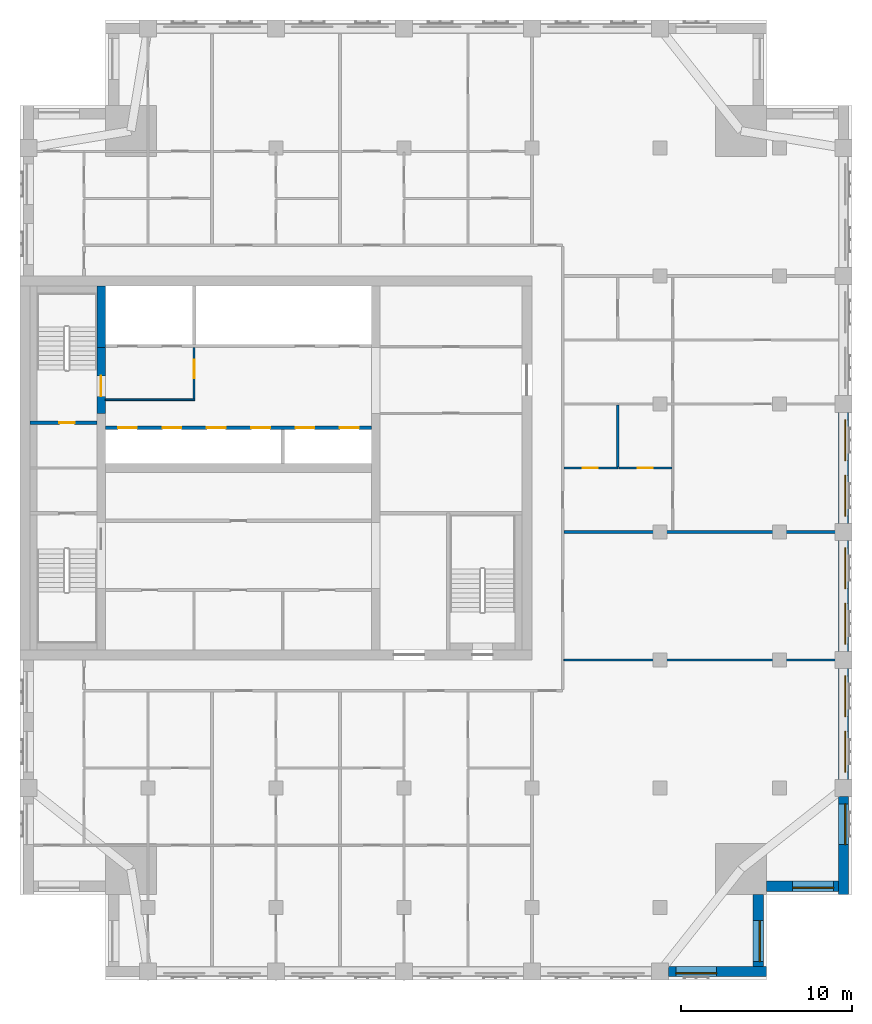
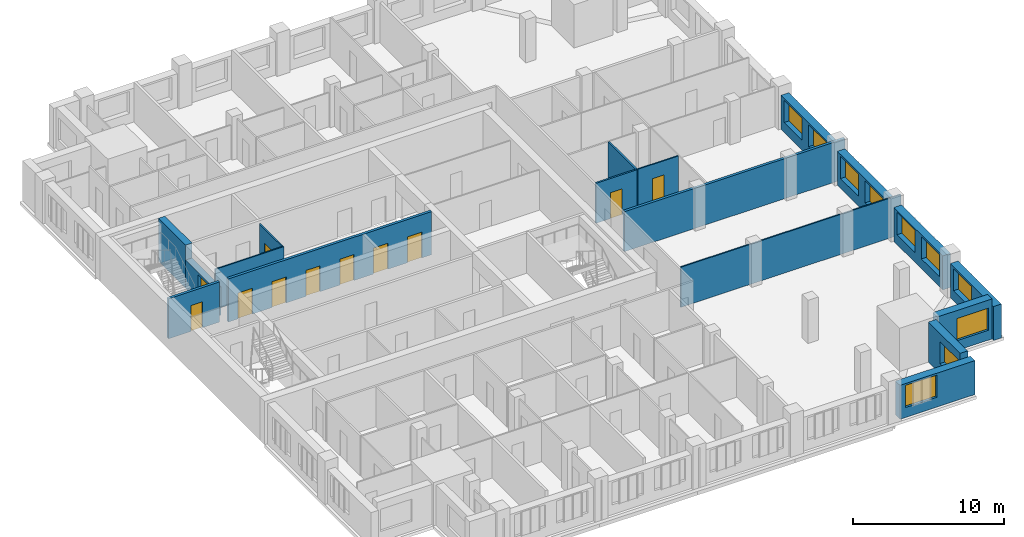
# One storey, part 5 of 10: 18 walls, 11 doors, 10 windows, 21 openings.
"""IFC4 building model written with IfcOpenShell, lengths in metres."""

from ifc_helpers import new_model, si_unit, direction, frame, frame_2d, origin, place, context, subcontext, project, spatial, rectangle, extrude, material, layer, layer_set, type_object, element, fill, save


model = new_model("IFC4")

# Units and contexts
model_context = context("Model", 3, precision=1e-05, world=origin(), true_north=direction((0.0, 1.0)))
body_context = subcontext(model_context, "Body", "Model", "MODEL_VIEW")
ifc_project = project(units=[si_unit("LENGTHUNIT", "METRE"), si_unit("AREAUNIT", "SQUARE_METRE"), si_unit("VOLUMEUNIT", "CUBIC_METRE"), si_unit("PLANEANGLEUNIT", "RADIAN"), si_unit("MASSUNIT", "GRAM", prefix="KILO")], contexts=[model_context])

# Site, building, storey
site_placement = place(None, origin())
site = spatial("IfcSite", under=ifc_project, at=site_placement, CompositionType="ELEMENT")
building_placement = place(site_placement, origin())
building = spatial("IfcBuilding", under=site, at=building_placement, Name="Tamorin Gate", CompositionType="ELEMENT")
storey_placement = place(building_placement, frame((0.0, 0.0, 251.199951171875)))
storey = spatial("IfcBuildingStorey", under=building, at=storey_placement, Name="L63", CompositionType="ELEMENT", Elevation=251.199951171875)

# Wall, opening, window
ifc_material_1 = material(Name="Precast concrete C40/50", Category="concrete")
ifc_layer_1 = layer(ifc_material_1, 0.60009765625)
ifc_layer_set_1 = layer_set([ifc_layer_1], Name="Precast concrete C40/50")
wall_type_1 = type_object("IfcWallType", Name="Board-marked concrete facade panel 600", PredefinedType="SOLIDWALL", material=ifc_layer_set_1)
wall_1_placement = place(storey_placement, frame((68.0, 41.75, 0.0), z_axis=(0.0, 0.0, 1.0), x_axis=(1.0, 0.0, 0.0)))
wall_1 = element("IfcWall", 1, at=wall_1_placement, inside=storey, type_object=wall_type_1, Name="Facade panel", PredefinedType="SOLIDWALL", context=body_context, shape_type="SweptSolid", body=[
    extrude(rectangle(XDim=5.75, YDim=0.60009765625, at=frame_2d((2.875, 0.0))), origin(), (0.0, 0.0, 1.0), 2.75),
])
opening_1_placement = place(wall_1_placement, frame((0.425048828125, 0.0, 0.800048828125)))
opening_1 = element("IfcOpeningElement", 2, at=opening_1_placement, cuts=wall_1, Name="Opening WN1", PredefinedType="OPENING", context=body_context, shape_type="SweptSolid", body=[
    extrude(rectangle(XDim=2.39990234375, YDim=1.800048828125, at=frame_2d((1.199951171875, 0.89990234375))), frame((0.0, 0.31005859375, 0.0), z_axis=(0.0, -1.0, 0.0), x_axis=(1.0, 0.0, 0.0)), (0.0, 0.0, 1.0), 0.6201171875),
])
ifc_material_2 = material(Name="Clear glass in aluminium frame", Category="aluminium")
window_type = type_object("IfcWindowType", Name="Deep-set window 2400x1800", PartitioningType="SINGLE_PANEL", PredefinedType="WINDOW", material=ifc_material_2)
window_1_placement = place(opening_1_placement, origin())
window_1 = element("IfcWindow", 3, at=window_1_placement, inside=storey, type_object=window_type, Name="Deep-set window", OverallHeight=1.800048828125, OverallWidth=2.39990234375, PartitioningType="SINGLE_PANEL", PredefinedType="WINDOW", context=body_context, shape_type="SweptSolid", body=[
    extrude(rectangle(XDim=2.39990234375, YDim=1.800048828125, at=frame_2d((1.199951171875, 0.89990234375))), frame((0.0, -0.070068359375, 0.0), z_axis=(0.0, -1.0, 0.0), x_axis=(1.0, 0.0, 0.0)), (0.0, 0.0, 1.0), 0.06005859375),
])
fill(opening_1, window_1)

wall_2_placement = place(storey_placement, frame((73.25, 42.050048828125, 0.0), z_axis=(0.0, 0.0, 1.0), x_axis=(0.0, 1.0, 0.0)))
wall_2 = element("IfcWall", 4, at=wall_2_placement, inside=storey, type_object=wall_type_1, Name="Facade panel", PredefinedType="SOLIDWALL", context=body_context, shape_type="SweptSolid", body=[
    extrude(rectangle(XDim=4.199951171875, YDim=0.60009765625, at=frame_2d((2.10009765625, 0.0))), origin(), (0.0, 0.0, 1.0), 3.25),
])
opening_2_placement = place(wall_2_placement, frame((0.27490234375, 0.0, 0.800048828125)))
opening_2 = element("IfcOpeningElement", 5, at=opening_2_placement, cuts=wall_2, Name="Opening WN1", PredefinedType="OPENING", context=body_context, shape_type="SweptSolid", body=[
    extrude(rectangle(XDim=2.39990234375, YDim=1.800048828125, at=frame_2d((1.199951171875, 0.89990234375))), frame((0.0, 0.31005859375, 0.0), z_axis=(0.0, -1.0, 0.0), x_axis=(1.0, 0.0, 0.0)), (0.0, 0.0, 1.0), 0.6201171875),
])
window_2_placement = place(opening_2_placement, origin())
window_2 = element("IfcWindow", 6, at=window_2_placement, inside=storey, type_object=window_type, Name="Deep-set window", OverallHeight=1.800048828125, OverallWidth=2.39990234375, PartitioningType="SINGLE_PANEL", PredefinedType="WINDOW", context=body_context, shape_type="SweptSolid", body=[
    extrude(rectangle(XDim=2.39990234375, YDim=1.800048828125, at=frame_2d((1.199951171875, 0.89990234375))), frame((0.0, -0.070068359375, 0.0), z_axis=(0.0, -1.0, 0.0), x_axis=(1.0, 0.0, 0.0)), (0.0, 0.0, 1.0), 0.06005859375),
])
fill(opening_2, window_2)

wall_3_placement = place(storey_placement, frame((73.75, 46.75, 0.0), z_axis=(0.0, 0.0, 1.0), x_axis=(1.0, 0.0, 0.0)))
wall_3 = element("IfcWall", 7, at=wall_3_placement, inside=storey, type_object=wall_type_1, Name="Facade panel", PredefinedType="SOLIDWALL", context=body_context, shape_type="SweptSolid", body=[
    extrude(rectangle(XDim=4.199951171875, YDim=0.60009765625, at=frame_2d((2.10009765625, 0.0))), origin(), (0.0, 0.0, 1.0), 3.25),
])
opening_3_placement = place(wall_3_placement, frame((1.52490234375, 0.0, 0.800048828125)))
opening_3 = element("IfcOpeningElement", 8, at=opening_3_placement, cuts=wall_3, Name="Opening WN1", PredefinedType="OPENING", context=body_context, shape_type="SweptSolid", body=[
    extrude(rectangle(XDim=2.39990234375, YDim=1.800048828125, at=frame_2d((1.199951171875, 0.89990234375))), frame((0.0, 0.31005859375, 0.0), z_axis=(0.0, -1.0, 0.0), x_axis=(1.0, 0.0, 0.0)), (0.0, 0.0, 1.0), 0.6201171875),
])
window_3_placement = place(opening_3_placement, origin())
window_3 = element("IfcWindow", 9, at=window_3_placement, inside=storey, type_object=window_type, Name="Deep-set window", OverallHeight=1.800048828125, OverallWidth=2.39990234375, PartitioningType="SINGLE_PANEL", PredefinedType="WINDOW", context=body_context, shape_type="SweptSolid", body=[
    extrude(rectangle(XDim=2.39990234375, YDim=1.800048828125, at=frame_2d((1.199951171875, 0.89990234375))), frame((0.0, -0.070068359375, 0.0), z_axis=(0.0, -1.0, 0.0), x_axis=(1.0, 0.0, 0.0)), (0.0, 0.0, 1.0), 0.06005859375),
])
fill(opening_3, window_3)

wall_4_placement = place(storey_placement, frame((78.25, 46.25, 0.0), z_axis=(0.0, 0.0, 1.0), x_axis=(0.0, 1.0, 0.0)))
wall_4 = element("IfcWall", 10, at=wall_4_placement, inside=storey, type_object=wall_type_1, Name="Facade panel", PredefinedType="SOLIDWALL", context=body_context, shape_type="SweptSolid", body=[
    extrude(rectangle(XDim=5.75, YDim=0.60009765625, at=frame_2d((2.875, 0.0))), origin(), (0.0, 0.0, 1.0), 2.75),
])
opening_4_placement = place(wall_4_placement, frame((2.925048828125, 0.0, 0.800048828125)))
opening_4 = element("IfcOpeningElement", 11, at=opening_4_placement, cuts=wall_4, Name="Opening WN1", PredefinedType="OPENING", context=body_context, shape_type="SweptSolid", body=[
    extrude(rectangle(XDim=2.39990234375, YDim=1.800048828125, at=frame_2d((1.199951171875, 0.89990234375))), frame((0.0, 0.31005859375, 0.0), z_axis=(0.0, -1.0, 0.0), x_axis=(1.0, 0.0, 0.0)), (0.0, 0.0, 1.0), 0.6201171875),
])
window_4_placement = place(opening_4_placement, origin())
window_4 = element("IfcWindow", 12, at=window_4_placement, inside=storey, type_object=window_type, Name="Deep-set window", OverallHeight=1.800048828125, OverallWidth=2.39990234375, PartitioningType="SINGLE_PANEL", PredefinedType="WINDOW", context=body_context, shape_type="SweptSolid", body=[
    extrude(rectangle(XDim=2.39990234375, YDim=1.800048828125, at=frame_2d((1.199951171875, 0.89990234375))), frame((0.0, -0.070068359375, 0.0), z_axis=(0.0, -1.0, 0.0), x_axis=(1.0, 0.0, 0.0)), (0.0, 0.0, 1.0), 0.06005859375),
])
fill(opening_4, window_4)

# Wall, openings, windows
wall_5_placement = place(storey_placement, frame((78.25, 53.0, 0.0), z_axis=(0.0, 0.0, 1.0), x_axis=(0.0, 1.0, 0.0)))
wall_5 = element("IfcWall", 13, at=wall_5_placement, inside=storey, type_object=wall_type_1, Name="Facade panel", PredefinedType="SOLIDWALL", context=body_context, shape_type="SweptSolid", body=[
    extrude(rectangle(XDim=6.5, YDim=0.60009765625, at=frame_2d((3.25, 0.0))), origin(), (0.0, 0.0, 1.0), 2.75),
])
opening_5_placement = place(wall_5_placement, frame((0.425048828125, 0.0, 0.800048828125)))
opening_5 = element("IfcOpeningElement", 14, at=opening_5_placement, cuts=wall_5, Name="Opening WN1", PredefinedType="OPENING", context=body_context, shape_type="SweptSolid", body=[
    extrude(rectangle(XDim=2.39990234375, YDim=1.800048828125, at=frame_2d((1.199951171875, 0.89990234375))), frame((0.0, 0.31005859375, 0.0), z_axis=(0.0, -1.0, 0.0), x_axis=(1.0, 0.0, 0.0)), (0.0, 0.0, 1.0), 0.6201171875),
])
opening_6_placement = place(wall_5_placement, frame((3.675048828125, 0.0, 0.800048828125)))
opening_6 = element("IfcOpeningElement", 15, at=opening_6_placement, cuts=wall_5, Name="Opening WN1", PredefinedType="OPENING", context=body_context, shape_type="SweptSolid", body=[
    extrude(rectangle(XDim=2.39990234375, YDim=1.800048828125, at=frame_2d((1.199951171875, 0.89990234375))), frame((0.0, 0.31005859375, 0.0), z_axis=(0.0, -1.0, 0.0), x_axis=(1.0, 0.0, 0.0)), (0.0, 0.0, 1.0), 0.6201171875),
])
window_5_placement = place(opening_5_placement, origin())
window_5 = element("IfcWindow", 16, at=window_5_placement, inside=storey, type_object=window_type, Name="Deep-set window", OverallHeight=1.800048828125, OverallWidth=2.39990234375, PartitioningType="SINGLE_PANEL", PredefinedType="WINDOW", context=body_context, shape_type="SweptSolid", body=[
    extrude(rectangle(XDim=2.39990234375, YDim=1.800048828125, at=frame_2d((1.199951171875, 0.89990234375))), frame((0.0, -0.070068359375, 0.0), z_axis=(0.0, -1.0, 0.0), x_axis=(1.0, 0.0, 0.0)), (0.0, 0.0, 1.0), 0.06005859375),
])
fill(opening_5, window_5)
window_6_placement = place(opening_6_placement, origin())
window_6 = element("IfcWindow", 17, at=window_6_placement, inside=storey, type_object=window_type, Name="Deep-set window", OverallHeight=1.800048828125, OverallWidth=2.39990234375, PartitioningType="SINGLE_PANEL", PredefinedType="WINDOW", context=body_context, shape_type="SweptSolid", body=[
    extrude(rectangle(XDim=2.39990234375, YDim=1.800048828125, at=frame_2d((1.199951171875, 0.89990234375))), frame((0.0, -0.070068359375, 0.0), z_axis=(0.0, -1.0, 0.0), x_axis=(1.0, 0.0, 0.0)), (0.0, 0.0, 1.0), 0.06005859375),
])
fill(opening_6, window_6)

wall_6_placement = place(storey_placement, frame((78.25, 60.5, 0.0), z_axis=(0.0, 0.0, 1.0), x_axis=(0.0, 1.0, 0.0)))
wall_6 = element("IfcWall", 18, at=wall_6_placement, inside=storey, type_object=wall_type_1, Name="Facade panel", PredefinedType="SOLIDWALL", context=body_context, shape_type="SweptSolid", body=[
    extrude(rectangle(XDim=6.5, YDim=0.60009765625, at=frame_2d((3.25, 0.0))), origin(), (0.0, 0.0, 1.0), 2.75),
])
opening_7_placement = place(wall_6_placement, frame((0.425048828125, 0.0, 0.800048828125)))
opening_7 = element("IfcOpeningElement", 19, at=opening_7_placement, cuts=wall_6, Name="Opening WN1", PredefinedType="OPENING", context=body_context, shape_type="SweptSolid", body=[
    extrude(rectangle(XDim=2.39990234375, YDim=1.800048828125, at=frame_2d((1.199951171875, 0.89990234375))), frame((0.0, 0.31005859375, 0.0), z_axis=(0.0, -1.0, 0.0), x_axis=(1.0, 0.0, 0.0)), (0.0, 0.0, 1.0), 0.6201171875),
])
opening_8_placement = place(wall_6_placement, frame((3.675048828125, 0.0, 0.800048828125)))
opening_8 = element("IfcOpeningElement", 20, at=opening_8_placement, cuts=wall_6, Name="Opening WN1", PredefinedType="OPENING", context=body_context, shape_type="SweptSolid", body=[
    extrude(rectangle(XDim=2.39990234375, YDim=1.800048828125, at=frame_2d((1.199951171875, 0.89990234375))), frame((0.0, 0.31005859375, 0.0), z_axis=(0.0, -1.0, 0.0), x_axis=(1.0, 0.0, 0.0)), (0.0, 0.0, 1.0), 0.6201171875),
])
window_7_placement = place(opening_7_placement, origin())
window_7 = element("IfcWindow", 21, at=window_7_placement, inside=storey, type_object=window_type, Name="Deep-set window", OverallHeight=1.800048828125, OverallWidth=2.39990234375, PartitioningType="SINGLE_PANEL", PredefinedType="WINDOW", context=body_context, shape_type="SweptSolid", body=[
    extrude(rectangle(XDim=2.39990234375, YDim=1.800048828125, at=frame_2d((1.199951171875, 0.89990234375))), frame((0.0, -0.070068359375, 0.0), z_axis=(0.0, -1.0, 0.0), x_axis=(1.0, 0.0, 0.0)), (0.0, 0.0, 1.0), 0.06005859375),
])
fill(opening_7, window_7)
window_8_placement = place(opening_8_placement, origin())
window_8 = element("IfcWindow", 22, at=window_8_placement, inside=storey, type_object=window_type, Name="Deep-set window", OverallHeight=1.800048828125, OverallWidth=2.39990234375, PartitioningType="SINGLE_PANEL", PredefinedType="WINDOW", context=body_context, shape_type="SweptSolid", body=[
    extrude(rectangle(XDim=2.39990234375, YDim=1.800048828125, at=frame_2d((1.199951171875, 0.89990234375))), frame((0.0, -0.070068359375, 0.0), z_axis=(0.0, -1.0, 0.0), x_axis=(1.0, 0.0, 0.0)), (0.0, 0.0, 1.0), 0.06005859375),
])
fill(opening_8, window_8)

wall_7_placement = place(storey_placement, frame((78.25, 68.0, 0.0), z_axis=(0.0, 0.0, 1.0), x_axis=(0.0, 1.0, 0.0)))
wall_7 = element("IfcWall", 23, at=wall_7_placement, inside=storey, type_object=wall_type_1, Name="Facade panel", PredefinedType="SOLIDWALL", context=body_context, shape_type="SweptSolid", body=[
    extrude(rectangle(XDim=6.5, YDim=0.60009765625, at=frame_2d((3.25, 0.0))), origin(), (0.0, 0.0, 1.0), 2.75),
])
opening_9_placement = place(wall_7_placement, frame((0.425048828125, 0.0, 0.800048828125)))
opening_9 = element("IfcOpeningElement", 24, at=opening_9_placement, cuts=wall_7, Name="Opening WN1", PredefinedType="OPENING", context=body_context, shape_type="SweptSolid", body=[
    extrude(rectangle(XDim=2.39990234375, YDim=1.800048828125, at=frame_2d((1.199951171875, 0.89990234375))), frame((0.0, 0.31005859375, 0.0), z_axis=(0.0, -1.0, 0.0), x_axis=(1.0, 0.0, 0.0)), (0.0, 0.0, 1.0), 0.6201171875),
])
opening_10_placement = place(wall_7_placement, frame((3.675048828125, 0.0, 0.800048828125)))
opening_10 = element("IfcOpeningElement", 25, at=opening_10_placement, cuts=wall_7, Name="Opening WN1", PredefinedType="OPENING", context=body_context, shape_type="SweptSolid", body=[
    extrude(rectangle(XDim=2.39990234375, YDim=1.800048828125, at=frame_2d((1.199951171875, 0.89990234375))), frame((0.0, 0.31005859375, 0.0), z_axis=(0.0, -1.0, 0.0), x_axis=(1.0, 0.0, 0.0)), (0.0, 0.0, 1.0), 0.6201171875),
])
window_9_placement = place(opening_9_placement, origin())
window_9 = element("IfcWindow", 26, at=window_9_placement, inside=storey, type_object=window_type, Name="Deep-set window", OverallHeight=1.800048828125, OverallWidth=2.39990234375, PartitioningType="SINGLE_PANEL", PredefinedType="WINDOW", context=body_context, shape_type="SweptSolid", body=[
    extrude(rectangle(XDim=2.39990234375, YDim=1.800048828125, at=frame_2d((1.199951171875, 0.89990234375))), frame((0.0, -0.070068359375, 0.0), z_axis=(0.0, -1.0, 0.0), x_axis=(1.0, 0.0, 0.0)), (0.0, 0.0, 1.0), 0.06005859375),
])
fill(opening_9, window_9)
window_10_placement = place(opening_10_placement, origin())
window_10 = element("IfcWindow", 27, at=window_10_placement, inside=storey, type_object=window_type, Name="Deep-set window", OverallHeight=1.800048828125, OverallWidth=2.39990234375, PartitioningType="SINGLE_PANEL", PredefinedType="WINDOW", context=body_context, shape_type="SweptSolid", body=[
    extrude(rectangle(XDim=2.39990234375, YDim=1.800048828125, at=frame_2d((1.199951171875, 0.89990234375))), frame((0.0, -0.070068359375, 0.0), z_axis=(0.0, -1.0, 0.0), x_axis=(1.0, 0.0, 0.0)), (0.0, 0.0, 1.0), 0.06005859375),
])
fill(opening_10, window_10)

# Wall
ifc_material_3 = material(Name="Gypsum board partition")
ifc_layer_2 = layer(ifc_material_3, 0.199951171875)
ifc_layer_set_2 = layer_set([ifc_layer_2], Name="Demising wall 200")
wall_type_2 = type_object("IfcWallType", Name="Demising wall 200", PredefinedType="PARTITIONING", material=ifc_layer_set_2)
wall_8_placement = place(storey_placement, frame((61.875, 67.5, 0.0), z_axis=(0.0, 0.0, 1.0), x_axis=(1.0, 0.0, 0.0)))
element("IfcWall", 28, at=wall_8_placement, inside=storey, type_object=wall_type_2, Name="Demising wall 200", PredefinedType="PARTITIONING", context=body_context, shape_type="SweptSolid", body=[
    extrude(rectangle(XDim=16.875, YDim=0.199951171875, at=frame_2d((8.4375, 0.0))), origin(), (0.0, 0.0, 1.0), 3.25),
])

# Wall, openings, doors
ifc_material_4 = material(Name="Concrete C32/40", Category="concrete")
ifc_layer_3 = layer(ifc_material_4, 0.199951171875)
ifc_layer_set_3 = layer_set([ifc_layer_3], Name="Lift lobby face wall 200 EI 120")
wall_type_3 = type_object("IfcWallType", Name="Lift lobby face wall 200 EI 120", PredefinedType="SOLIDWALL", material=ifc_layer_set_3)
wall_9_placement = place(storey_placement, frame((35.0, 73.60009765625, 0.0), z_axis=(0.0, 0.0, 1.0), x_axis=(1.0, 0.0, 0.0)))
wall_9 = element("IfcWall", 29, at=wall_9_placement, inside=storey, type_object=wall_type_3, Name="Lift lobby face wall", PredefinedType="SOLIDWALL", context=body_context, shape_type="SweptSolid", body=[
    extrude(rectangle(XDim=15.60009765625, YDim=0.199951171875, at=frame_2d((7.800048828125, 0.0))), origin(), (0.0, 0.0, 1.0), 3.5),
])
opening_11_placement = place(wall_9_placement, frame((0.75, 0.0, 0.0)))
opening_11 = element("IfcOpeningElement", 30, at=opening_11_placement, cuts=wall_9, Name="Opening LD11", PredefinedType="OPENING", context=body_context, shape_type="SweptSolid", body=[
    extrude(rectangle(XDim=1.10009765625, YDim=2.10009765625, at=frame_2d((0.550048828125, 1.050048828125))), frame((0.0, 0.10986328125, 0.0), z_axis=(0.0, -1.0, 0.0), x_axis=(1.0, 0.0, 0.0)), (0.0, 0.0, 1.0), 0.219970703125),
])
opening_12_placement = place(wall_9_placement, frame((3.35009765625, 0.0, 0.0)))
opening_12 = element("IfcOpeningElement", 31, at=opening_12_placement, cuts=wall_9, Name="Opening LD12", PredefinedType="OPENING", context=body_context, shape_type="SweptSolid", body=[
    extrude(rectangle(XDim=1.10009765625, YDim=2.10009765625, at=frame_2d((0.550048828125, 1.050048828125))), frame((0.0, 0.10986328125, 0.0), z_axis=(0.0, -1.0, 0.0), x_axis=(1.0, 0.0, 0.0)), (0.0, 0.0, 1.0), 0.219970703125),
])
opening_13_placement = place(wall_9_placement, frame((5.949951171875, 0.0, 0.0)))
opening_13 = element("IfcOpeningElement", 32, at=opening_13_placement, cuts=wall_9, Name="Opening LD13", PredefinedType="OPENING", context=body_context, shape_type="SweptSolid", body=[
    extrude(rectangle(XDim=1.10009765625, YDim=2.10009765625, at=frame_2d((0.550048828125, 1.050048828125))), frame((0.0, 0.10986328125, 0.0), z_axis=(0.0, -1.0, 0.0), x_axis=(1.0, 0.0, 0.0)), (0.0, 0.0, 1.0), 0.219970703125),
])
opening_14_placement = place(wall_9_placement, frame((8.550048828125, 0.0, 0.0)))
opening_14 = element("IfcOpeningElement", 33, at=opening_14_placement, cuts=wall_9, Name="Opening LD14", PredefinedType="OPENING", context=body_context, shape_type="SweptSolid", body=[
    extrude(rectangle(XDim=1.10009765625, YDim=2.10009765625, at=frame_2d((0.550048828125, 1.050048828125))), frame((0.0, 0.10986328125, 0.0), z_axis=(0.0, -1.0, 0.0), x_axis=(1.0, 0.0, 0.0)), (0.0, 0.0, 1.0), 0.219970703125),
])
opening_15_placement = place(wall_9_placement, frame((11.14990234375, 0.0, 0.0)))
opening_15 = element("IfcOpeningElement", 34, at=opening_15_placement, cuts=wall_9, Name="Opening LD15", PredefinedType="OPENING", context=body_context, shape_type="SweptSolid", body=[
    extrude(rectangle(XDim=1.10009765625, YDim=2.10009765625, at=frame_2d((0.550048828125, 1.050048828125))), frame((0.0, 0.10986328125, 0.0), z_axis=(0.0, -1.0, 0.0), x_axis=(1.0, 0.0, 0.0)), (0.0, 0.0, 1.0), 0.219970703125),
])
opening_16_placement = place(wall_9_placement, frame((13.75, 0.0, 0.0)))
opening_16 = element("IfcOpeningElement", 35, at=opening_16_placement, cuts=wall_9, Name="Opening LD16", PredefinedType="OPENING", context=body_context, shape_type="SweptSolid", body=[
    extrude(rectangle(XDim=1.10009765625, YDim=2.10009765625, at=frame_2d((0.550048828125, 1.050048828125))), frame((0.0, 0.10986328125, 0.0), z_axis=(0.0, -1.0, 0.0), x_axis=(1.0, 0.0, 0.0)), (0.0, 0.0, 1.0), 0.219970703125),
])
ifc_material_5 = material(Name="Stainless steel sliding door", Category="steel")
door_type_1 = type_object("IfcDoorType", Name="Lift landing door 1100 x 2100 E 90", OperationType="DOUBLE_DOOR_SLIDING", PredefinedType="DOOR", material=ifc_material_5)
door_1_placement = place(opening_11_placement, origin())
door_1 = element("IfcDoor", 36, at=door_1_placement, inside=storey, type_object=door_type_1, Name="HR1 landing door", OperationType="DOUBLE_DOOR_SLIDING", OverallHeight=2.10009765625, OverallWidth=1.10009765625, PredefinedType="DOOR", context=body_context, shape_type="SweptSolid", body=[
    extrude(rectangle(XDim=1.10009765625, YDim=2.10009765625, at=frame_2d((0.550048828125, 1.050048828125))), frame((0.0, 0.02490234375, 0.0), z_axis=(0.0, -1.0, 0.0), x_axis=(1.0, 0.0, 0.0)), (0.0, 0.0, 1.0), 0.050048828125),
])
fill(opening_11, door_1)
door_2_placement = place(opening_12_placement, origin())
door_2 = element("IfcDoor", 37, at=door_2_placement, inside=storey, type_object=door_type_1, Name="HR2 landing door", OperationType="DOUBLE_DOOR_SLIDING", OverallHeight=2.10009765625, OverallWidth=1.10009765625, PredefinedType="DOOR", context=body_context, shape_type="SweptSolid", body=[
    extrude(rectangle(XDim=1.10009765625, YDim=2.10009765625, at=frame_2d((0.550048828125, 1.050048828125))), frame((0.0, 0.02490234375, 0.0), z_axis=(0.0, -1.0, 0.0), x_axis=(1.0, 0.0, 0.0)), (0.0, 0.0, 1.0), 0.050048828125),
])
fill(opening_12, door_2)
door_3_placement = place(opening_13_placement, origin())
door_3 = element("IfcDoor", 38, at=door_3_placement, inside=storey, type_object=door_type_1, Name="HR3 landing door", OperationType="DOUBLE_DOOR_SLIDING", OverallHeight=2.10009765625, OverallWidth=1.10009765625, PredefinedType="DOOR", context=body_context, shape_type="SweptSolid", body=[
    extrude(rectangle(XDim=1.10009765625, YDim=2.10009765625, at=frame_2d((0.550048828125, 1.050048828125))), frame((0.0, 0.02490234375, 0.0), z_axis=(0.0, -1.0, 0.0), x_axis=(1.0, 0.0, 0.0)), (0.0, 0.0, 1.0), 0.050048828125),
])
fill(opening_13, door_3)
door_4_placement = place(opening_14_placement, origin())
door_4 = element("IfcDoor", 39, at=door_4_placement, inside=storey, type_object=door_type_1, Name="HR4 landing door", OperationType="DOUBLE_DOOR_SLIDING", OverallHeight=2.10009765625, OverallWidth=1.10009765625, PredefinedType="DOOR", context=body_context, shape_type="SweptSolid", body=[
    extrude(rectangle(XDim=1.10009765625, YDim=2.10009765625, at=frame_2d((0.550048828125, 1.050048828125))), frame((0.0, 0.02490234375, 0.0), z_axis=(0.0, -1.0, 0.0), x_axis=(1.0, 0.0, 0.0)), (0.0, 0.0, 1.0), 0.050048828125),
])
fill(opening_14, door_4)
door_5_placement = place(opening_15_placement, origin())
door_5 = element("IfcDoor", 40, at=door_5_placement, inside=storey, type_object=door_type_1, Name="HR5 landing door", OperationType="DOUBLE_DOOR_SLIDING", OverallHeight=2.10009765625, OverallWidth=1.10009765625, PredefinedType="DOOR", context=body_context, shape_type="SweptSolid", body=[
    extrude(rectangle(XDim=1.10009765625, YDim=2.10009765625, at=frame_2d((0.550048828125, 1.050048828125))), frame((0.0, 0.02490234375, 0.0), z_axis=(0.0, -1.0, 0.0), x_axis=(1.0, 0.0, 0.0)), (0.0, 0.0, 1.0), 0.050048828125),
])
fill(opening_15, door_5)
door_6_placement = place(opening_16_placement, origin())
door_6 = element("IfcDoor", 41, at=door_6_placement, inside=storey, type_object=door_type_1, Name="HR6 landing door", OperationType="DOUBLE_DOOR_SLIDING", OverallHeight=2.10009765625, OverallWidth=1.10009765625, PredefinedType="DOOR", context=body_context, shape_type="SweptSolid", body=[
    extrude(rectangle(XDim=1.10009765625, YDim=2.10009765625, at=frame_2d((0.550048828125, 1.050048828125))), frame((0.0, 0.02490234375, 0.0), z_axis=(0.0, -1.0, 0.0), x_axis=(1.0, 0.0, 0.0)), (0.0, 0.0, 1.0), 0.050048828125),
])
fill(opening_16, door_6)

# Wall
ifc_material_6 = material(Name="Fire-rated gypsum board partition")
ifc_layer_4 = layer(ifc_material_6, 0.10009765625)
ifc_layer_set_4 = layer_set([ifc_layer_4], Name="Lobby wall 100 EI 60")
wall_type_4 = type_object("IfcWallType", Name="Lobby wall 100 EI 60", PredefinedType="PARTITIONING", material=ifc_layer_set_4)
wall_10_placement = place(storey_placement, frame((35.0, 75.25, 0.0), z_axis=(0.0, 0.0, 1.0), x_axis=(1.0, 0.0, 0.0)))
element("IfcWall", 42, at=wall_10_placement, inside=storey, type_object=wall_type_4, Name="Firefighting lobby wall", PredefinedType="PARTITIONING", context=body_context, shape_type="SweptSolid", body=[
    extrude(rectangle(XDim=5.25, YDim=0.10009765625, at=frame_2d((2.625, 0.0))), origin(), (0.0, 0.0, 1.0), 3.25),
])

# Wall, opening, door
wall_11_placement = place(storey_placement, frame((40.199951171875, 75.300048828125, 0.0), z_axis=(0.0, 0.0, 1.0), x_axis=(0.0, 1.0, 0.0)))
wall_11 = element("IfcWall", 43, at=wall_11_placement, inside=storey, type_object=wall_type_4, Name="Firefighting lobby wall", PredefinedType="PARTITIONING", context=body_context, shape_type="SweptSolid", body=[
    extrude(rectangle(XDim=3.0, YDim=0.10009765625, at=frame_2d((1.5, 0.0))), origin(), (0.0, 0.0, 1.0), 3.25),
])
opening_17_placement = place(wall_11_placement, frame((1.199951171875, 0.0, 0.0)))
opening_17 = element("IfcOpeningElement", 44, at=opening_17_placement, cuts=wall_11, Name="Opening DF1", PredefinedType="OPENING", context=body_context, shape_type="SweptSolid", body=[
    extrude(rectangle(XDim=1.10009765625, YDim=2.10009765625, at=frame_2d((0.550048828125, 1.050048828125))), frame((0.0, 0.06005859375, 0.0), z_axis=(0.0, -1.0, 0.0), x_axis=(1.0, 0.0, 0.0)), (0.0, 0.0, 1.0), 0.1201171875),
])
ifc_material_7 = material(Name="Steel fire door", Category="steel")
door_type_2 = type_object("IfcDoorType", Name="Firefighting lobby door 1100 x 2100 EI 90", OperationType="SINGLE_SWING_LEFT", PredefinedType="DOOR", material=ifc_material_7)
door_7_placement = place(opening_17_placement, origin())
door_7 = element("IfcDoor", 45, at=door_7_placement, inside=storey, type_object=door_type_2, Name="Firefighting lobby door", OperationType="SINGLE_SWING_LEFT", OverallHeight=2.10009765625, OverallWidth=1.10009765625, PredefinedType="DOOR", context=body_context, shape_type="SweptSolid", body=[
    extrude(rectangle(XDim=1.10009765625, YDim=2.10009765625, at=frame_2d((0.550048828125, 1.050048828125))), frame((0.0, 0.02490234375, 0.0), z_axis=(0.0, -1.0, 0.0), x_axis=(1.0, 0.0, 0.0)), (0.0, 0.0, 1.0), 0.050048828125),
])
fill(opening_17, door_7)

# Walls
ifc_material_8 = material(Name="Concrete C50/60", Category="concrete")
ifc_layer_5 = layer(ifc_material_8, 0.5)
ifc_layer_set_5 = layer_set([ifc_layer_5], Name="RC core internal wall 500 C50/60")
wall_type_5 = type_object("IfcWallType", Name="RC core internal wall 500 C50/60", PredefinedType="SHEAR", material=ifc_layer_set_5)
wall_12_placement = place(storey_placement, frame((34.75, 78.300048828125, 0.0), z_axis=(0.0, 0.0, 1.0), x_axis=(0.0, 1.0, 0.0)))
element("IfcWall", 46, at=wall_12_placement, inside=storey, type_object=wall_type_5, Name="Core cross wall L63", PredefinedType="SHEAR", context=body_context, shape_type="SweptSolid", body=[
    extrude(rectangle(XDim=3.599853515625, YDim=0.5, at=frame_2d((1.7998046875, 0.0))), origin(), (0.0, 0.0, 1.0), 3.5),
])
ifc_layer_6 = layer(ifc_material_3, 0.10009765625)
ifc_layer_set_6 = layer_set([ifc_layer_6], Name="Room partition 100")
wall_type_6 = type_object("IfcWallType", Name="Room partition 100", PredefinedType="PARTITIONING", material=ifc_layer_set_6)
wall_13_placement = place(storey_placement, frame((61.875, 60.0, 0.0), z_axis=(0.0, 0.0, 1.0), x_axis=(1.0, 0.0, 0.0)))
element("IfcWall", 47, at=wall_13_placement, inside=storey, type_object=wall_type_6, Name="Room partition 100", PredefinedType="PARTITIONING", context=body_context, shape_type="SweptSolid", body=[
    extrude(rectangle(XDim=16.875, YDim=0.10009765625, at=frame_2d((8.4375, 0.0))), origin(), (0.0, 0.0, 1.0), 3.25),
])

# Wall, opening, door
wall_14_placement = place(storey_placement, frame((65.08740234375, 71.25, 0.0), z_axis=(0.0, 0.0, 1.0), x_axis=(1.0, 0.0, 0.0)))
wall_14 = element("IfcWall", 48, at=wall_14_placement, inside=storey, type_object=wall_type_6, Name="Room partition 100", PredefinedType="PARTITIONING", context=body_context, shape_type="SweptSolid", body=[
    extrude(rectangle(XDim=3.112548828125, YDim=0.10009765625, at=frame_2d((1.55615234375, 0.0))), origin(), (0.0, 0.0, 1.0), 3.25),
])
opening_18_placement = place(wall_14_placement, frame((1.10009765625, 0.0, 0.0)))
opening_18 = element("IfcOpeningElement", 49, at=opening_18_placement, cuts=wall_14, Name="Opening DR5044", PredefinedType="OPENING", context=body_context, shape_type="SweptSolid", body=[
    extrude(rectangle(XDim=0.89990234375, YDim=2.10009765625, at=frame_2d((0.449951171875, 1.050048828125))), frame((0.0, 0.06005859375, 0.0), z_axis=(0.0, -1.0, 0.0), x_axis=(1.0, 0.0, 0.0)), (0.0, 0.0, 1.0), 0.1201171875),
])
ifc_material_9 = material(Name="Timber door leaf", Category="wood")
door_type_3 = type_object("IfcDoorType", Name="Door 900 x 2100", OperationType="NOTDEFINED", PredefinedType="DOOR", material=ifc_material_9)
door_8_placement = place(opening_18_placement, origin())
door_8 = element("IfcDoor", 50, at=door_8_placement, inside=storey, type_object=door_type_3, Name="Door DR5044", OperationType="SINGLE_SWING_RIGHT", OverallHeight=2.10009765625, OverallWidth=0.89990234375, PredefinedType="DOOR", context=body_context, shape_type="SweptSolid", body=[
    extrude(rectangle(XDim=0.89990234375, YDim=2.10009765625, at=frame_2d((0.449951171875, 1.050048828125))), frame((0.0, 0.02490234375, 0.0), z_axis=(0.0, -1.0, 0.0), x_axis=(1.0, 0.0, 0.0)), (0.0, 0.0, 1.0), 0.050048828125),
])
fill(opening_18, door_8)

ifc_material_10 = material(Name="Concrete C40/50", Category="concrete")
ifc_layer_7 = layer(ifc_material_10, 0.199951171875)
ifc_layer_set_7 = layer_set([ifc_layer_7], Name="Stair enclosure wall 200 EI 120 C40/50")
wall_type_7 = type_object("IfcWallType", Name="Stair enclosure wall 200 EI 120 C40/50", PredefinedType="SOLIDWALL", material=ifc_layer_set_7)
wall_15_placement = place(storey_placement, frame((30.60009765625, 73.89990234375, 0.0), z_axis=(0.0, 0.0, 1.0), x_axis=(1.0, 0.0, 0.0)))
wall_15 = element("IfcWall", 51, at=wall_15_placement, inside=storey, type_object=wall_type_7, Name="Stair enclosure wall", PredefinedType="SOLIDWALL", context=body_context, shape_type="SweptSolid", body=[
    extrude(rectangle(XDim=3.89990234375, YDim=0.199951171875, at=frame_2d((1.949951171875, 0.0))), origin(), (0.0, 0.0, 1.0), 3.25),
])
opening_19_placement = place(wall_15_placement, frame((1.699951171875, 0.0, 0.0)))
opening_19 = element("IfcOpeningElement", 52, at=opening_19_placement, cuts=wall_15, Name="Opening DR1", PredefinedType="OPENING", context=body_context, shape_type="SweptSolid", body=[
    extrude(rectangle(XDim=0.89990234375, YDim=2.10009765625, at=frame_2d((0.449951171875, 1.050048828125))), frame((0.0, 0.10986328125, 0.0), z_axis=(0.0, -1.0, 0.0), x_axis=(1.0, 0.0, 0.0)), (0.0, 0.0, 1.0), 0.219970703125),
])
door_type_4 = type_object("IfcDoorType", Name="Riser access door 900 x 2100 EI 120", OperationType="SINGLE_SWING_LEFT", PredefinedType="DOOR", material=ifc_material_7)
door_9_placement = place(opening_19_placement, origin())
door_9 = element("IfcDoor", 53, at=door_9_placement, inside=storey, type_object=door_type_4, Name="Communications riser door", OperationType="SINGLE_SWING_RIGHT", OverallHeight=2.10009765625, OverallWidth=0.89990234375, PredefinedType="DOOR", context=body_context, shape_type="SweptSolid", body=[
    extrude(rectangle(XDim=0.89990234375, YDim=2.10009765625, at=frame_2d((0.449951171875, 1.050048828125))), frame((0.0, 0.02490234375, 0.0), z_axis=(0.0, -1.0, 0.0), x_axis=(1.0, 0.0, 0.0)), (0.0, 0.0, 1.0), 0.050048828125),
])
fill(opening_19, door_9)

ifc_layer_8 = layer(ifc_material_4, 0.5)
ifc_layer_set_8 = layer_set([ifc_layer_8], Name="Stair lobby infill wall 500 EI 120")
wall_type_8 = type_object("IfcWallType", Name="Stair lobby infill wall 500 EI 120", PredefinedType="SOLIDWALL", material=ifc_layer_set_8)
wall_16_placement = place(storey_placement, frame((34.75, 74.449951171875, 0.0), z_axis=(0.0, 0.0, 1.0), x_axis=(0.0, 1.0, 0.0)))
wall_16 = element("IfcWall", 54, at=wall_16_placement, inside=storey, type_object=wall_type_8, Name="Stair lobby infill wall", PredefinedType="SOLIDWALL", context=body_context, shape_type="SweptSolid", body=[
    extrude(rectangle(XDim=3.85009765625, YDim=0.5, at=frame_2d((1.925048828125, 0.0))), origin(), (0.0, 0.0, 1.0), 2.300048828125),
])
opening_20_placement = place(wall_16_placement, frame((1.0, 0.0, 0.0)))
opening_20 = element("IfcOpeningElement", 55, at=opening_20_placement, cuts=wall_16, Name="Opening DS1", PredefinedType="OPENING", context=body_context, shape_type="SweptSolid", body=[
    extrude(rectangle(XDim=1.199951171875, YDim=2.10009765625, at=frame_2d((0.60009765625, 1.050048828125))), frame((0.0, 0.260009765625, 0.0), z_axis=(0.0, -1.0, 0.0), x_axis=(1.0, 0.0, 0.0)), (0.0, 0.0, 1.0), 0.52001953125),
])
door_type_5 = type_object("IfcDoorType", Name="Stair door 1200 x 2100 EI 90", OperationType="SINGLE_SWING_LEFT", PredefinedType="DOOR", material=ifc_material_7)
door_10_placement = place(opening_20_placement, origin())
door_10 = element("IfcDoor", 56, at=door_10_placement, inside=storey, type_object=door_type_5, Name="ST2 door", OperationType="SINGLE_SWING_RIGHT", OverallHeight=2.10009765625, OverallWidth=1.199951171875, PredefinedType="DOOR", context=body_context, shape_type="SweptSolid", body=[
    extrude(rectangle(XDim=1.199951171875, YDim=2.10009765625, at=frame_2d((0.60009765625, 1.050048828125))), frame((0.0, 0.02490234375, 0.0), z_axis=(0.0, -1.0, 0.0), x_axis=(1.0, 0.0, 0.0)), (0.0, 0.0, 1.0), 0.050048828125),
])
fill(opening_20, door_10)

ifc_layer_9 = layer(ifc_material_3, 0.125)
ifc_layer_set_9 = layer_set([ifc_layer_9], Name="Wet wall 125")
wall_type_9 = type_object("IfcWallType", Name="Wet wall 125", PredefinedType="PARTITIONING", material=ifc_layer_set_9)
wall_17_placement = place(storey_placement, frame((61.875, 71.25, 0.0), z_axis=(0.0, 0.0, 1.0), x_axis=(1.0, 0.0, 0.0)))
wall_17 = element("IfcWall", 57, at=wall_17_placement, inside=storey, type_object=wall_type_9, Name="Wet wall 125", PredefinedType="PARTITIONING", context=body_context, shape_type="SweptSolid", body=[
    extrude(rectangle(XDim=3.14990234375, YDim=0.125, at=frame_2d((1.574951171875, 0.0))), origin(), (0.0, 0.0, 1.0), 3.25),
])
opening_21_placement = place(wall_17_placement, frame((1.08740234375, 0.0, 0.0)))
opening_21 = element("IfcOpeningElement", 58, at=opening_21_placement, cuts=wall_17, Name="Opening DR5045", PredefinedType="OPENING", context=body_context, shape_type="SweptSolid", body=[
    extrude(rectangle(XDim=0.89990234375, YDim=2.10009765625, at=frame_2d((0.449951171875, 1.050048828125))), frame((0.0, 0.072509765625, 0.0), z_axis=(0.0, -1.0, 0.0), x_axis=(1.0, 0.0, 0.0)), (0.0, 0.0, 1.0), 0.14501953125),
])
door_11_placement = place(opening_21_placement, origin())
door_11 = element("IfcDoor", 59, at=door_11_placement, inside=storey, type_object=door_type_3, Name="Door DR5045", OperationType="SINGLE_SWING_RIGHT", OverallHeight=2.10009765625, OverallWidth=0.89990234375, PredefinedType="DOOR", context=body_context, shape_type="SweptSolid", body=[
    extrude(rectangle(XDim=0.89990234375, YDim=2.10009765625, at=frame_2d((0.449951171875, 1.050048828125))), frame((0.0, 0.02490234375, 0.0), z_axis=(0.0, -1.0, 0.0), x_axis=(1.0, 0.0, 0.0)), (0.0, 0.0, 1.0), 0.050048828125),
])
fill(opening_21, door_11)

# Wall
wall_18_placement = place(storey_placement, frame((65.02490234375, 71.3125, 0.0), z_axis=(0.0, 0.0, 1.0), x_axis=(0.0, 1.0, 0.0)))
element("IfcWall", 60, at=wall_18_placement, inside=storey, type_object=wall_type_9, Name="Wet wall 125", PredefinedType="PARTITIONING", context=body_context, shape_type="SweptSolid", body=[
    extrude(rectangle(XDim=3.625, YDim=0.125, at=frame_2d((1.8125, 0.0))), origin(), (0.0, 0.0, 1.0), 3.25),
])

save(model, "model.ifc")
